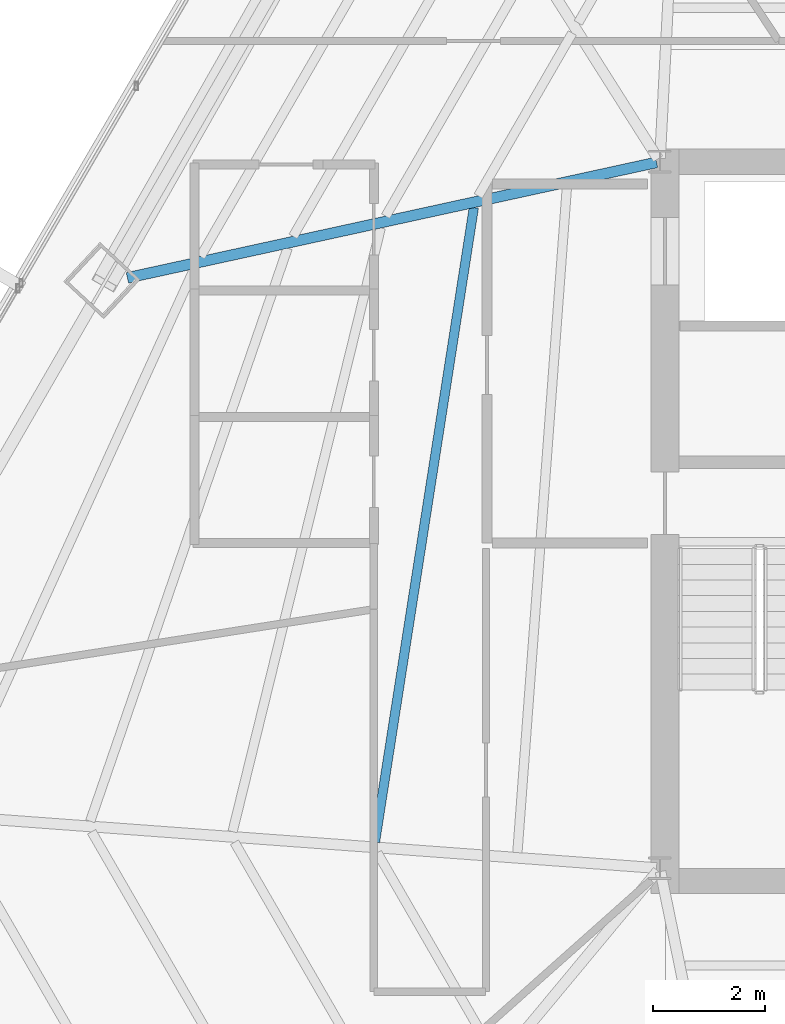
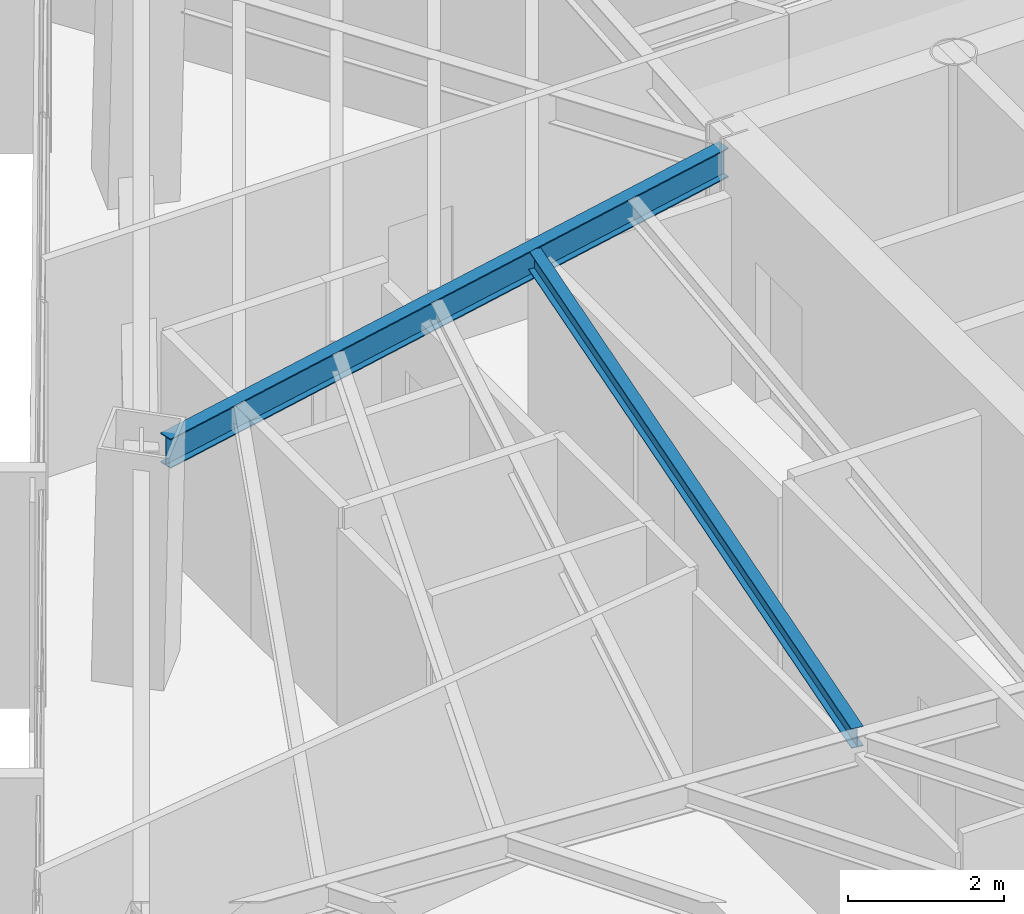
# One storey, part 13 of 41: 2 beams.
"""IFC4 building model written with IfcOpenShell, lengths in metres."""

import ifcopenshell
import ifcopenshell.guid

model = None  # the IFC model being written
_history = None  # IfcOwnerHistory: only IFC2X3 demands one
_inside = {}  # id of a spatial element -> (the spatial element, [elements in it])
_under = {}  # id of a project, library or spatial element -> (it, [spatial elements below it])
_declared = {}  # id of a project -> (the project, [libraries it declares])
_typed = {}  # id of a type object -> (the type object, [elements of that type])
_made_of = {}  # id of a material, layer set ... -> (it, [elements and type objects made of it])


def new_model(schema):
    """Start an empty IFC model of exactly this schema.

    Asked for "IFC4X3", IfcOpenShell would pick the latest addendum, in which some entities
    have other attributes; the version numbers below select the first issue.
    IFC2X3 requires an IfcOwnerHistory on every rooted entity: one is made here for all.
    """
    global model, _history
    if schema == "IFC4X3":
        model = ifcopenshell.file(schema_version=(4, 3, 0, 0))
    else:
        model = ifcopenshell.file(schema=schema)
    _inside.clear()
    _under.clear()
    _declared.clear()
    _typed.clear()
    _made_of.clear()
    _history = None
    if model.schema == "IFC2X3":
        org = make("IfcOrganization", Name="unknown")
        user = make(
            "IfcPersonAndOrganization",
            ThePerson=make("IfcPerson", FamilyName="unknown"),
            TheOrganization=org,
        )
        app = make(
            "IfcApplication",
            ApplicationDeveloper=org,
            Version="unknown",
            ApplicationFullName="unknown",
            ApplicationIdentifier="unknown",
        )
        _history = make(
            "IfcOwnerHistory",
            OwningUser=user,
            OwningApplication=app,
            ChangeAction="ADDED",
            CreationDate=0,
        )
    return model


def make(cls, **values):
    """One entity of the class cls with the attributes given. An attribute that is None is left unset."""
    return model.create_entity(
        cls, **{name: value for name, value in values.items() if value is not None}
    )


def rooted(cls, **values):
    """An entity with a GlobalId (a new one), such as an element, a storey or a relation."""
    return make(cls, GlobalId=ifcopenshell.guid.new(), OwnerHistory=_history, **values)


def si_unit(unit_type, name, prefix=None):
    """IfcSIUnit, for example si_unit("LENGTHUNIT", "METRE", prefix="MILLI")."""
    return make("IfcSIUnit", UnitType=unit_type, Prefix=prefix, Name=name)


def assignment(units):
    """IfcUnitAssignment: the units of a project."""
    return None if units is None else make("IfcUnitAssignment", Units=units)


def point(xyz):
    """IfcCartesianPoint."""
    return None if xyz is None else make("IfcCartesianPoint", Coordinates=xyz)


def direction(xyz):
    """IfcDirection."""
    return None if xyz is None else make("IfcDirection", DirectionRatios=xyz)


def frame(location, z_axis=None, x_axis=None):
    """IfcAxis2Placement3D, a coordinate frame: its origin and axes. An axis left out is left unset."""
    return make(
        "IfcAxis2Placement3D",
        Location=point(location),
        Axis=direction(z_axis),
        RefDirection=direction(x_axis),
    )


def frame_2d(location, x_axis=None):
    """IfcAxis2Placement2D, a coordinate frame in the plane: its origin and x axis."""
    return make(
        "IfcAxis2Placement2D", Location=point(location), RefDirection=direction(x_axis)
    )


def origin():
    """The frame at (0, 0, 0) with its axes left unset."""
    return frame((0.0, 0.0, 0.0))


def origin_2d():
    """The frame at (0, 0) in the plane with its x axis left unset."""
    return frame_2d((0.0, 0.0))


def place(relative_to, where):
    """IfcLocalPlacement: puts the frame where relative to a parent placement (None: the world)."""
    return make(
        "IfcLocalPlacement", PlacementRelTo=relative_to, RelativePlacement=where
    )


def context(
    kind, dimensions, precision=None, world=None, true_north=None, identifier=None
):
    """IfcGeometricRepresentationContext, for example the 3D "Model" context."""
    return make(
        "IfcGeometricRepresentationContext",
        ContextIdentifier=identifier,
        ContextType=kind,
        CoordinateSpaceDimension=dimensions,
        Precision=precision,
        WorldCoordinateSystem=world,
        TrueNorth=true_north,
    )


def subcontext(parent, identifier, kind, view, scale=None):
    """IfcGeometricRepresentationSubContext, for example "Body" below "Model"."""
    return make(
        "IfcGeometricRepresentationSubContext",
        ContextIdentifier=identifier,
        ContextType=kind,
        ParentContext=parent,
        TargetScale=scale,
        TargetView=view,
    )


def project(units=None, contexts=None):
    """IfcProject with its units and contexts."""
    return rooted(
        "IfcProject",
        Name="project",
        RepresentationContexts=contexts,
        UnitsInContext=assignment(units),
    )


def spatial(cls, under=None, at=None, **own):
    """A site, building, storey or space (cls), placed at a placement, below another one or the project."""
    s = rooted(cls, ObjectPlacement=at, **own)
    if under is not None:
        _under.setdefault(under.id(), (under, []))[1].append(s)
    return s


def profile(cls, at=None, kind="AREA", **sizes):
    """A parametric profile (cls). Its sizes go by their IFC names, for example OverallWidth=200.0."""
    return make(cls, ProfileType=kind, Position=at, **sizes)


def i_section(**sizes):
    """IfcIShapeProfileDef."""
    return profile("IfcIShapeProfileDef", **sizes)


def extrude(swept, where, along, depth):
    """IfcExtrudedAreaSolid: the profile swept, set in the frame where, extruded along a direction by depth."""
    return make(
        "IfcExtrudedAreaSolid",
        SweptArea=swept,
        Position=where,
        ExtrudedDirection=direction(along),
        Depth=depth,
    )


def shape(context_of_items, identifier, shape_type, items):
    """IfcShapeRepresentation: the items that make up one representation, for example the "Body"."""
    return make(
        "IfcShapeRepresentation",
        ContextOfItems=context_of_items,
        RepresentationIdentifier=identifier,
        RepresentationType=shape_type,
        Items=items,
    )


def source(mapping_origin, context_of_items, identifier, shape_type, items):
    """IfcRepresentationMap: a shape defined once, which mapped items show again and again."""
    return make(
        "IfcRepresentationMap",
        MappingOrigin=mapping_origin,
        MappedRepresentation=shape(context_of_items, identifier, shape_type, items),
    )


def transform(
    local_origin,
    x_axis=None,
    y_axis=None,
    z_axis=None,
    scale=None,
    scale2=None,
    scale3=None,
    uniform=True,
):
    """IfcCartesianTransformationOperator3D, or its non-uniform kind. x_axis, y_axis, z_axis: its Axis1, 2, 3."""
    if uniform:
        return make(
            "IfcCartesianTransformationOperator3D",
            Axis1=direction(x_axis),
            Axis2=direction(y_axis),
            LocalOrigin=point(local_origin),
            Scale=scale,
            Axis3=direction(z_axis),
        )
    return make(
        "IfcCartesianTransformationOperator3DnonUniform",
        Axis1=direction(x_axis),
        Axis2=direction(y_axis),
        LocalOrigin=point(local_origin),
        Scale=scale,
        Axis3=direction(z_axis),
        Scale2=scale2,
        Scale3=scale3,
    )


def mapped(mapping_source, mapping_target):
    """IfcMappedItem: shows the shape of a source again, moved by a transform."""
    return make(
        "IfcMappedItem", MappingSource=mapping_source, MappingTarget=mapping_target
    )


def material(Name=None, Category=None):
    """IfcMaterial."""
    return make("IfcMaterial", Name=Name, Category=Category)


def material_profile(
    of_material, cross_section, Name=None, Category=None, Priority=None
):
    """IfcMaterialProfile: a cross section and its material."""
    return make(
        "IfcMaterialProfile",
        Name=Name,
        Material=of_material,
        Profile=cross_section,
        Priority=Priority,
        Category=Category,
    )


def profile_set(profiles, Name=None, composite=None):
    """IfcMaterialProfileSet."""
    return make(
        "IfcMaterialProfileSet",
        Name=Name,
        MaterialProfiles=profiles,
        CompositeProfile=composite,
    )


def made_of(thing, what):
    """Note that an element or type object is made of a material, layer set ...; save() writes the relation."""
    if what is not None:
        _made_of.setdefault(what.id(), (what, []))[1].append(thing)
    return thing


def type_object(cls, material=None, **own):
    """A type object (cls), such as IfcWallType, which elements share."""
    return made_of(rooted(cls, **own), material)


def type_shapes(of_type, sources):
    """Give a type object the sources (RepresentationMaps) that its elements show as mapped items."""
    of_type.RepresentationMaps = sources


def element(
    cls,
    number,
    at=None,
    inside=None,
    cuts=None,
    type_object=None,
    material=None,
    context=None,
    identifier="Body",
    shape_type=None,
    held_by="IfcProductDefinitionShape",
    body=None,
    shapes=None,
    **own,
):
    """One element of the class cls, such as IfcWall. Its Tag is "e" and its number.

    at: its placement. inside: the storey or other place that contains it. cuts: it is an
    opening in that element (IfcRelVoidsElement). A single representation is given by context,
    identifier, shape_type and body (its items); several are given by shapes. held_by: the class
    of the entity that holds the representations. save() writes the other relations.
    """
    e = rooted(cls, Tag="e%d" % number, ObjectPlacement=at, **own)
    if body is not None:
        shapes = [shape(context, identifier, shape_type, body)]
    if shapes is not None:
        e.Representation = make(held_by, Representations=shapes)
    if inside is not None:
        _inside.setdefault(inside.id(), (inside, []))[1].append(e)
    if cuts is not None:
        rooted(
            "IfcRelVoidsElement", RelatingBuildingElement=cuts, RelatedOpeningElement=e
        )
    if type_object is not None:
        _typed.setdefault(type_object.id(), (type_object, []))[1].append(e)
    return made_of(e, material)


def aggregate(whole, parts):
    """IfcRelAggregates: a whole, such as a stair, and the parts it consists of."""
    return rooted("IfcRelAggregates", RelatingObject=whole, RelatedObjects=parts)


def save(model, path):
    """Write the relations noted so far, then the file.

    IfcRelAggregates (storeys below a building ...), IfcRelContainedInSpatialStructure (elements
    in a storey), IfcRelDefinesByType, IfcRelAssociatesMaterial and IfcRelDeclares: one each for
    every whole, place, type object, material and project.
    """
    for whole, parts in _under.values():
        aggregate(whole, parts)
    for where, things in _inside.values():
        rooted(
            "IfcRelContainedInSpatialStructure",
            RelatedElements=things,
            RelatingStructure=where,
        )
    for kind, things in _typed.values():
        rooted("IfcRelDefinesByType", RelatedObjects=things, RelatingType=kind)
    for what, things in _made_of.values():
        rooted("IfcRelAssociatesMaterial", RelatedObjects=things, RelatingMaterial=what)
    for by, libraries in _declared.values():
        rooted("IfcRelDeclares", RelatingContext=by, RelatedDefinitions=libraries)
    model.write(path)


model = new_model("IFC4")

# Units and contexts
model_context = context("Model", 3, precision=1e-05, world=origin(), true_north=direction((0.0, 1.0)))
body_context = subcontext(model_context, "Body", "Model", "MODEL_VIEW")
ifc_project = project(units=[si_unit("LENGTHUNIT", "METRE"), si_unit("AREAUNIT", "SQUARE_METRE"), si_unit("VOLUMEUNIT", "CUBIC_METRE"), si_unit("PLANEANGLEUNIT", "RADIAN"), si_unit("MASSUNIT", "GRAM", prefix="KILO")], contexts=[model_context])

# Site, building, storey
site_placement = place(None, origin())
site = spatial("IfcSite", under=ifc_project, at=site_placement, CompositionType="ELEMENT")
building_placement = place(site_placement, origin())
building = spatial("IfcBuilding", under=site, at=building_placement, Name="Caelisora Broadcast Tower", CompositionType="ELEMENT")
storey_placement = place(building_placement, frame((0.0, 0.0, 135.449951171875)))
storey = spatial("IfcBuildingStorey", under=building, at=storey_placement, Name="L35", CompositionType="ELEMENT", Elevation=135.449951171875)

# Beams
ifc_material = material(Name="Steel Grade 350 (AS/NZS 3679.1)", Category="steel")
ifc_material_profile_1 = material_profile(ifc_material, i_section(OverallWidth=0.19091796875, OverallDepth=0.46044921875, WebThickness=0.010009765625, FlangeThickness=0.01611328125, at=origin_2d()), Name="Steel Grade 350 (AS/NZS 3679.1)")
ifc_profile_set_1 = profile_set([ifc_material_profile_1], Name="Steel Grade 350 (AS/NZS 3679.1)")
beam_type_1 = type_object("IfcBeamType", Name="PG06", PredefinedType="BEAM", material=ifc_profile_set_1)
shared_shape_1 = source(origin(), body_context, "Body", "SweptSolid", [
    extrude(i_section(OverallWidth=0.19091796875, OverallDepth=0.46044921875, WebThickness=0.010009765625, FlangeThickness=0.01611328125, at=origin_2d()), origin(), (0.0, 0.0, 1.0), 9.657470703125),
])
type_shapes(beam_type_1, [shared_shape_1])
beam_1_placement = place(storey_placement, frame((30.44140625, 29.9873046875, 3.169921875), z_axis=(-0.976995079727, -0.213261844194, 0.0), x_axis=(0.213261844194, -0.976995079727, 0.0)))
element("IfcBeam", 1, at=beam_1_placement, inside=storey, type_object=beam_type_1, Name="L35 beam PG06", PredefinedType="BEAM", context=body_context, shape_type="MappedRepresentation", body=[
    mapped(shared_shape_1, transform((0.0, 0.0, 0.0), scale=1.0)),
])
ifc_material_profile_2 = material_profile(ifc_material, i_section(OverallWidth=0.166015625, OverallDepth=0.30712890625, WebThickness=0.006591796875, FlangeThickness=0.01171875, at=origin_2d()), Name="Steel Grade 350 (AS/NZS 3679.1)")
ifc_profile_set_2 = profile_set([ifc_material_profile_2], Name="Steel Grade 350 (AS/NZS 3679.1)")
beam_type_2 = type_object("IfcBeamType", Name="SB03", PredefinedType="JOIST", material=ifc_profile_set_2)
shared_shape_2 = source(origin(), body_context, "Body", "SweptSolid", [
    extrude(i_section(OverallWidth=0.166015625, OverallDepth=0.30712890625, WebThickness=0.006591796875, FlangeThickness=0.01171875, at=origin_2d()), origin(), (0.0, 0.0, 1.0), 11.451416015625),
])
type_shapes(beam_type_2, [shared_shape_2])
beam_2_placement = place(storey_placement, frame((27.183349609375, 29.18115234375, 3.246337890625), z_axis=(-0.153948928918, -0.988078806212, 0.0), x_axis=(0.988078806212, -0.153948928918, 0.0)))
element("IfcBeam", 2, at=beam_2_placement, inside=storey, type_object=beam_type_2, Name="L35 beam SB03", PredefinedType="JOIST", context=body_context, shape_type="MappedRepresentation", body=[
    mapped(shared_shape_2, transform((0.0, 0.0, 0.0), scale=1.0)),
])

save(model, "model.ifc")
